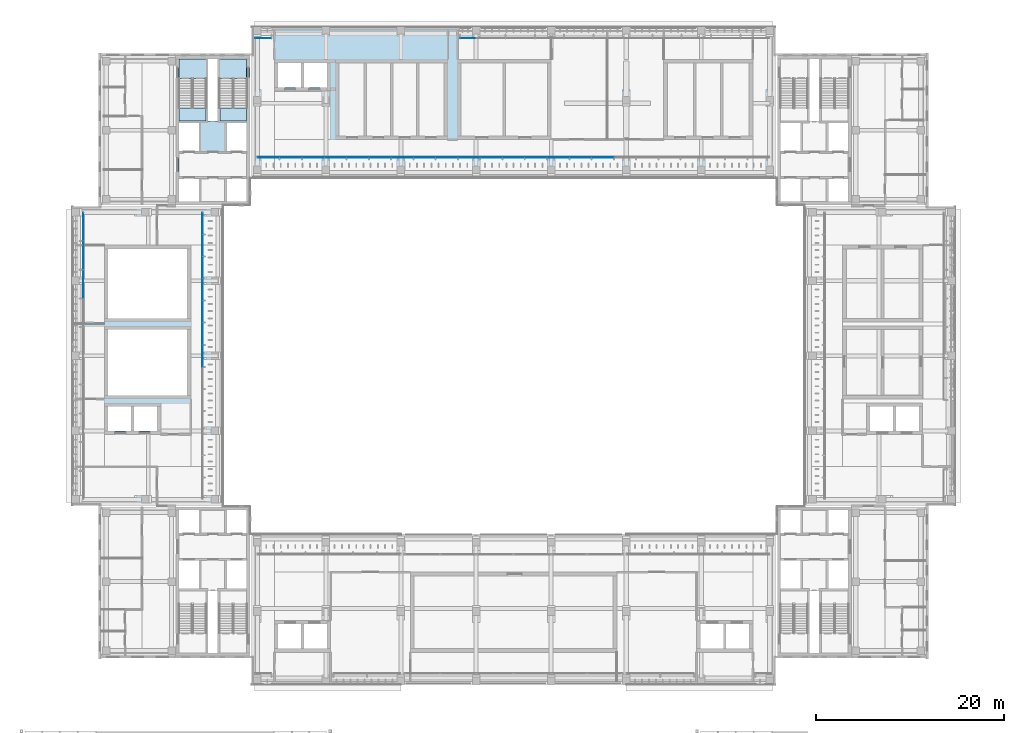
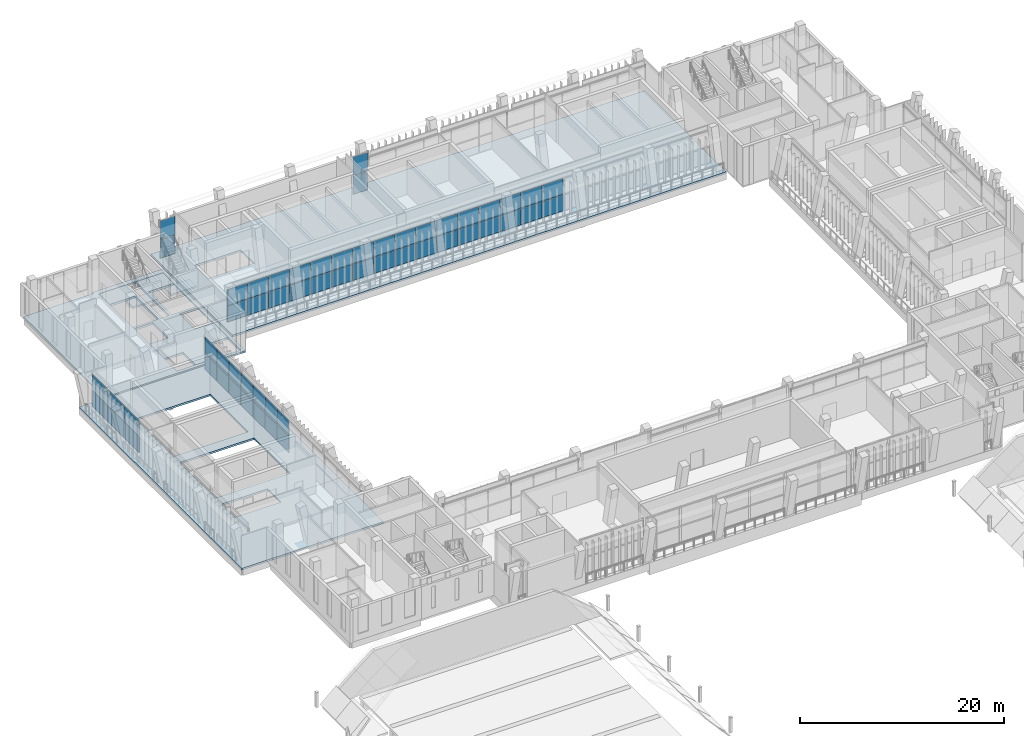
# One storey, part 52 of 89: 56 plates, 6 slabs, 7 elements without a shape of their own.
"""IFC4 building model written with IfcOpenShell, lengths in metres."""

from ifc_helpers import new_model, si_unit, direction, frame, origin, origin_2d, place, context, subcontext, project, spatial, polyline, rectangle, outline, extrude, material, layer, layer_set, type_object, element, aggregate, save


model = new_model("IFC4")

# Units and contexts
model_context = context("Model", 3, precision=1e-05, world=origin(), true_north=direction((0.0, 1.0)))
body_context = subcontext(model_context, "Body", "Model", "MODEL_VIEW")
ifc_project = project(units=[si_unit("LENGTHUNIT", "METRE"), si_unit("AREAUNIT", "SQUARE_METRE"), si_unit("VOLUMEUNIT", "CUBIC_METRE"), si_unit("PLANEANGLEUNIT", "RADIAN"), si_unit("MASSUNIT", "GRAM", prefix="KILO")], contexts=[model_context])

# Site, building, storey
site_placement = place(None, origin())
site = spatial("IfcSite", under=ifc_project, at=site_placement, CompositionType="ELEMENT")
building_placement = place(site_placement, origin())
building = spatial("IfcBuilding", under=site, at=building_placement, Name="Lantern Court Media Centre", CompositionType="ELEMENT")
storey_placement = place(building_placement, frame((0.0, 0.0, 14.39990234375)))
storey = spatial("IfcBuildingStorey", under=building, at=storey_placement, Name="L03", CompositionType="ELEMENT", Elevation=14.39990234375)

# Slab
ifc_material_1 = material(Name="Concrete C40", Category="concrete")
ifc_layer_1 = layer(ifc_material_1, 0.25)
ifc_layer_set_1 = layer_set([ifc_layer_1], Name="Concrete C40")
slab_type_1 = type_object("IfcSlabType", Name="Core floor slab 250", PredefinedType="FLOOR", material=ifc_layer_set_1)
slab_1_placement = place(storey_placement, frame((0.0, 0.0, -0.25)))
element("IfcSlab", 1, at=slab_1_placement, inside=storey, type_object=slab_type_1, Name="L03 NW core floor", PredefinedType="FLOOR", context=body_context, shape_type="SweptSolid", body=[
    extrude(outline(polyline([(16.35009765625, 104.800048828125), (16.35009765625, 105.05029296875), (19.19970703125, 105.05029296875), (19.19970703125, 109.549560546875), (16.35009765625, 109.549560546875), (16.35009765625, 111.64990234375), (19.449951171875, 111.64990234375), (19.449951171875, 105.050048828125), (20.449951171875, 105.050048828125), (20.449951171875, 111.64990234375), (23.550048828125, 111.64990234375), (23.550048828125, 109.549560546875), (20.700439453125, 109.549560546875), (20.700439453125, 105.05029296875), (23.550048828125, 105.05029296875), (23.550048828125, 104.800048828125), (21.449951171875, 104.800048828125), (21.449951171875, 101.800048828125), (23.550048828125, 101.800048828125), (23.550048828125, 98.89990234375), (21.449951171875, 98.89990234375), (21.449951171875, 96.449951171875), (18.449951171875, 96.449951171875), (18.449951171875, 98.89990234375), (16.35009765625, 98.89990234375), (16.35009765625, 101.800048828125), (18.449951171875, 101.800048828125), (18.449951171875, 104.800048828125), (16.35009765625, 104.800048828125)])), origin(), (0.0, 0.0, 1.0), 0.25),
])

# Curtain wall, plates
ifc_material_2 = material(Name="Curtain wall bay 2400")
curtain_wall_type_1 = type_object("IfcCurtainWallType", Name="Curtain wall bay 2400", PredefinedType="NOTDEFINED", material=ifc_material_2)
curtain_wall_1_placement = place(storey_placement, origin())
curtain_wall_1 = element("IfcCurtainWall", 2, at=curtain_wall_1_placement, inside=storey, type_object=curtain_wall_type_1, Name="Curtain wall N inner L03", PredefinedType="NOTDEFINED")
ifc_material_3 = material(Name="Low-iron double glazed unit glass", Category="glass")
ifc_layer_2 = layer(ifc_material_3, 0.02392578125)
ifc_layer_set_2 = layer_set([ifc_layer_2], Name="Low-iron double glazed unit glass")
plate_type_1 = type_object("IfcPlateType", Name="Curtain wall glazing unit 24", PredefinedType="CURTAIN_PANEL", material=ifc_layer_set_2)
plate_1_placement = place(storey_placement, frame((25.8994140625, 101.14990234375, 0.050048828125), z_axis=(0.0, 0.0, 1.0), x_axis=(1.0, 0.0, 0.0)))
plate_1 = element("IfcPlate", 3, at=plate_1_placement, type_object=plate_type_1, Name="CW2 panel 1.1", PredefinedType="CURTAIN_PANEL", context=body_context, shape_type="SweptSolid", body=[
    extrude(rectangle(XDim=2.298828125, YDim=0.02392578125, at=origin_2d()), origin(), (0.0, 0.0, 1.0), 1.89990234375),
])
plate_2_placement = place(storey_placement, frame((25.8994140625, 101.14990234375, 2.000244140625), z_axis=(0.0, 0.0, 1.0), x_axis=(1.0, 0.0, 0.0)))
plate_2 = element("IfcPlate", 4, at=plate_2_placement, type_object=plate_type_1, Name="CW2 panel 1.2", PredefinedType="CURTAIN_PANEL", context=body_context, shape_type="SweptSolid", body=[
    extrude(rectangle(XDim=2.298828125, YDim=0.02392578125, at=origin_2d()), origin(), (0.0, 0.0, 1.0), 1.89990234375),
])
plate_3_placement = place(storey_placement, frame((28.260986328125, 101.14990234375, 0.050048828125), z_axis=(0.0, 0.0, 1.0), x_axis=(1.0, 0.0, 0.0)))
plate_3 = element("IfcPlate", 5, at=plate_3_placement, type_object=plate_type_1, Name="CW2 panel 2.1", PredefinedType="CURTAIN_PANEL", context=body_context, shape_type="SweptSolid", body=[
    extrude(rectangle(XDim=2.323974609375, YDim=0.02392578125, at=origin_2d()), origin(), (0.0, 0.0, 1.0), 1.89990234375),
])
plate_4_placement = place(storey_placement, frame((28.260986328125, 101.14990234375, 2.000244140625), z_axis=(0.0, 0.0, 1.0), x_axis=(1.0, 0.0, 0.0)))
plate_4 = element("IfcPlate", 6, at=plate_4_placement, type_object=plate_type_1, Name="CW2 panel 2.2", PredefinedType="CURTAIN_PANEL", context=body_context, shape_type="SweptSolid", body=[
    extrude(rectangle(XDim=2.323974609375, YDim=0.02392578125, at=origin_2d()), origin(), (0.0, 0.0, 1.0), 1.89990234375),
])
plate_5_placement = place(storey_placement, frame((30.634765625, 101.14990234375, 0.050048828125), z_axis=(0.0, 0.0, 1.0), x_axis=(1.0, 0.0, 0.0)))
plate_5 = element("IfcPlate", 7, at=plate_5_placement, type_object=plate_type_1, Name="CW2 panel 3.1", PredefinedType="CURTAIN_PANEL", context=body_context, shape_type="SweptSolid", body=[
    extrude(rectangle(XDim=2.323974609375, YDim=0.02392578125, at=origin_2d()), origin(), (0.0, 0.0, 1.0), 1.89990234375),
])
plate_6_placement = place(storey_placement, frame((30.634765625, 101.14990234375, 2.000244140625), z_axis=(0.0, 0.0, 1.0), x_axis=(1.0, 0.0, 0.0)))
plate_6 = element("IfcPlate", 8, at=plate_6_placement, type_object=plate_type_1, Name="CW2 panel 3.2", PredefinedType="CURTAIN_PANEL", context=body_context, shape_type="SweptSolid", body=[
    extrude(rectangle(XDim=2.323974609375, YDim=0.02392578125, at=origin_2d()), origin(), (0.0, 0.0, 1.0), 1.89990234375),
])
plate_7_placement = place(storey_placement, frame((33.0087890625, 101.14990234375, 0.050048828125), z_axis=(0.0, 0.0, 1.0), x_axis=(1.0, 0.0, 0.0)))
plate_7 = element("IfcPlate", 9, at=plate_7_placement, type_object=plate_type_1, Name="CW2 panel 4.1", PredefinedType="CURTAIN_PANEL", context=body_context, shape_type="SweptSolid", body=[
    extrude(rectangle(XDim=2.323974609375, YDim=0.02392578125, at=origin_2d()), origin(), (0.0, 0.0, 1.0), 1.89990234375),
])
plate_8_placement = place(storey_placement, frame((33.0087890625, 101.14990234375, 2.000244140625), z_axis=(0.0, 0.0, 1.0), x_axis=(1.0, 0.0, 0.0)))
plate_8 = element("IfcPlate", 10, at=plate_8_placement, type_object=plate_type_1, Name="CW2 panel 4.2", PredefinedType="CURTAIN_PANEL", context=body_context, shape_type="SweptSolid", body=[
    extrude(rectangle(XDim=2.323974609375, YDim=0.02392578125, at=origin_2d()), origin(), (0.0, 0.0, 1.0), 1.89990234375),
])
plate_9_placement = place(storey_placement, frame((35.382568359375, 101.14990234375, 0.050048828125), z_axis=(0.0, 0.0, 1.0), x_axis=(1.0, 0.0, 0.0)))
plate_9 = element("IfcPlate", 11, at=plate_9_placement, type_object=plate_type_1, Name="CW2 panel 5.1", PredefinedType="CURTAIN_PANEL", context=body_context, shape_type="SweptSolid", body=[
    extrude(rectangle(XDim=2.323974609375, YDim=0.02392578125, at=origin_2d()), origin(), (0.0, 0.0, 1.0), 1.89990234375),
])
plate_10_placement = place(storey_placement, frame((35.382568359375, 101.14990234375, 2.000244140625), z_axis=(0.0, 0.0, 1.0), x_axis=(1.0, 0.0, 0.0)))
plate_10 = element("IfcPlate", 12, at=plate_10_placement, type_object=plate_type_1, Name="CW2 panel 5.2", PredefinedType="CURTAIN_PANEL", context=body_context, shape_type="SweptSolid", body=[
    extrude(rectangle(XDim=2.323974609375, YDim=0.02392578125, at=origin_2d()), origin(), (0.0, 0.0, 1.0), 1.89990234375),
])
plate_11_placement = place(storey_placement, frame((37.756591796875, 101.14990234375, 0.050048828125), z_axis=(0.0, 0.0, 1.0), x_axis=(1.0, 0.0, 0.0)))
plate_11 = element("IfcPlate", 13, at=plate_11_placement, type_object=plate_type_1, Name="CW2 panel 6.1", PredefinedType="CURTAIN_PANEL", context=body_context, shape_type="SweptSolid", body=[
    extrude(rectangle(XDim=2.323974609375, YDim=0.02392578125, at=origin_2d()), origin(), (0.0, 0.0, 1.0), 1.89990234375),
])
plate_12_placement = place(storey_placement, frame((37.756591796875, 101.14990234375, 2.000244140625), z_axis=(0.0, 0.0, 1.0), x_axis=(1.0, 0.0, 0.0)))
plate_12 = element("IfcPlate", 14, at=plate_12_placement, type_object=plate_type_1, Name="CW2 panel 6.2", PredefinedType="CURTAIN_PANEL", context=body_context, shape_type="SweptSolid", body=[
    extrude(rectangle(XDim=2.323974609375, YDim=0.02392578125, at=origin_2d()), origin(), (0.0, 0.0, 1.0), 1.89990234375),
])
plate_13_placement = place(storey_placement, frame((40.13037109375, 101.14990234375, 0.050048828125), z_axis=(0.0, 0.0, 1.0), x_axis=(1.0, 0.0, 0.0)))
plate_13 = element("IfcPlate", 15, at=plate_13_placement, type_object=plate_type_1, Name="CW2 panel 7.1", PredefinedType="CURTAIN_PANEL", context=body_context, shape_type="SweptSolid", body=[
    extrude(rectangle(XDim=2.323974609375, YDim=0.02392578125, at=origin_2d()), origin(), (0.0, 0.0, 1.0), 1.89990234375),
])
plate_14_placement = place(storey_placement, frame((40.13037109375, 101.14990234375, 2.000244140625), z_axis=(0.0, 0.0, 1.0), x_axis=(1.0, 0.0, 0.0)))
plate_14 = element("IfcPlate", 16, at=plate_14_placement, type_object=plate_type_1, Name="CW2 panel 7.2", PredefinedType="CURTAIN_PANEL", context=body_context, shape_type="SweptSolid", body=[
    extrude(rectangle(XDim=2.323974609375, YDim=0.02392578125, at=origin_2d()), origin(), (0.0, 0.0, 1.0), 1.89990234375),
])
plate_15_placement = place(storey_placement, frame((42.50439453125, 101.14990234375, 0.050048828125), z_axis=(0.0, 0.0, 1.0), x_axis=(1.0, 0.0, 0.0)))
plate_15 = element("IfcPlate", 17, at=plate_15_placement, type_object=plate_type_1, Name="CW2 panel 8.1", PredefinedType="CURTAIN_PANEL", context=body_context, shape_type="SweptSolid", body=[
    extrude(rectangle(XDim=2.323974609375, YDim=0.02392578125, at=origin_2d()), origin(), (0.0, 0.0, 1.0), 1.89990234375),
])
plate_16_placement = place(storey_placement, frame((42.50439453125, 101.14990234375, 2.000244140625), z_axis=(0.0, 0.0, 1.0), x_axis=(1.0, 0.0, 0.0)))
plate_16 = element("IfcPlate", 18, at=plate_16_placement, type_object=plate_type_1, Name="CW2 panel 8.2", PredefinedType="CURTAIN_PANEL", context=body_context, shape_type="SweptSolid", body=[
    extrude(rectangle(XDim=2.323974609375, YDim=0.02392578125, at=origin_2d()), origin(), (0.0, 0.0, 1.0), 1.89990234375),
])
plate_17_placement = place(storey_placement, frame((44.878173828125, 101.14990234375, 0.050048828125), z_axis=(0.0, 0.0, 1.0), x_axis=(1.0, 0.0, 0.0)))
plate_17 = element("IfcPlate", 19, at=plate_17_placement, type_object=plate_type_1, Name="CW2 panel 9.1", PredefinedType="CURTAIN_PANEL", context=body_context, shape_type="SweptSolid", body=[
    extrude(rectangle(XDim=2.323974609375, YDim=0.02392578125, at=origin_2d()), origin(), (0.0, 0.0, 1.0), 1.89990234375),
])
plate_18_placement = place(storey_placement, frame((44.878173828125, 101.14990234375, 2.000244140625), z_axis=(0.0, 0.0, 1.0), x_axis=(1.0, 0.0, 0.0)))
plate_18 = element("IfcPlate", 20, at=plate_18_placement, type_object=plate_type_1, Name="CW2 panel 9.2", PredefinedType="CURTAIN_PANEL", context=body_context, shape_type="SweptSolid", body=[
    extrude(rectangle(XDim=2.323974609375, YDim=0.02392578125, at=origin_2d()), origin(), (0.0, 0.0, 1.0), 1.89990234375),
])
plate_19_placement = place(storey_placement, frame((47.252197265625, 101.14990234375, 0.050048828125), z_axis=(0.0, 0.0, 1.0), x_axis=(1.0, 0.0, 0.0)))
plate_19 = element("IfcPlate", 21, at=plate_19_placement, type_object=plate_type_1, Name="CW2 panel 10.1", PredefinedType="CURTAIN_PANEL", context=body_context, shape_type="SweptSolid", body=[
    extrude(rectangle(XDim=2.323974609375, YDim=0.02392578125, at=origin_2d()), origin(), (0.0, 0.0, 1.0), 1.89990234375),
])
plate_20_placement = place(storey_placement, frame((47.252197265625, 101.14990234375, 2.000244140625), z_axis=(0.0, 0.0, 1.0), x_axis=(1.0, 0.0, 0.0)))
plate_20 = element("IfcPlate", 22, at=plate_20_placement, type_object=plate_type_1, Name="CW2 panel 10.2", PredefinedType="CURTAIN_PANEL", context=body_context, shape_type="SweptSolid", body=[
    extrude(rectangle(XDim=2.323974609375, YDim=0.02392578125, at=origin_2d()), origin(), (0.0, 0.0, 1.0), 1.89990234375),
])
plate_21_placement = place(storey_placement, frame((49.6259765625, 101.14990234375, 0.050048828125), z_axis=(0.0, 0.0, 1.0), x_axis=(1.0, 0.0, 0.0)))
plate_21 = element("IfcPlate", 23, at=plate_21_placement, type_object=plate_type_1, Name="CW2 panel 11.1", PredefinedType="CURTAIN_PANEL", context=body_context, shape_type="SweptSolid", body=[
    extrude(rectangle(XDim=2.323974609375, YDim=0.02392578125, at=origin_2d()), origin(), (0.0, 0.0, 1.0), 1.89990234375),
])
plate_22_placement = place(storey_placement, frame((49.6259765625, 101.14990234375, 2.000244140625), z_axis=(0.0, 0.0, 1.0), x_axis=(1.0, 0.0, 0.0)))
plate_22 = element("IfcPlate", 24, at=plate_22_placement, type_object=plate_type_1, Name="CW2 panel 11.2", PredefinedType="CURTAIN_PANEL", context=body_context, shape_type="SweptSolid", body=[
    extrude(rectangle(XDim=2.323974609375, YDim=0.02392578125, at=origin_2d()), origin(), (0.0, 0.0, 1.0), 1.89990234375),
])
plate_23_placement = place(storey_placement, frame((52.0, 101.14990234375, 0.050048828125), z_axis=(0.0, 0.0, 1.0), x_axis=(1.0, 0.0, 0.0)))
plate_23 = element("IfcPlate", 25, at=plate_23_placement, type_object=plate_type_1, Name="CW2 panel 12.1", PredefinedType="CURTAIN_PANEL", context=body_context, shape_type="SweptSolid", body=[
    extrude(rectangle(XDim=2.323974609375, YDim=0.02392578125, at=origin_2d()), origin(), (0.0, 0.0, 1.0), 1.89990234375),
])
plate_24_placement = place(storey_placement, frame((52.0, 101.14990234375, 2.000244140625), z_axis=(0.0, 0.0, 1.0), x_axis=(1.0, 0.0, 0.0)))
plate_24 = element("IfcPlate", 26, at=plate_24_placement, type_object=plate_type_1, Name="CW2 panel 12.2", PredefinedType="CURTAIN_PANEL", context=body_context, shape_type="SweptSolid", body=[
    extrude(rectangle(XDim=2.323974609375, YDim=0.02392578125, at=origin_2d()), origin(), (0.0, 0.0, 1.0), 1.89990234375),
])
plate_25_placement = place(storey_placement, frame((54.3740234375, 101.14990234375, 0.050048828125), z_axis=(0.0, 0.0, 1.0), x_axis=(1.0, 0.0, 0.0)))
plate_25 = element("IfcPlate", 27, at=plate_25_placement, type_object=plate_type_1, Name="CW2 panel 13.1", PredefinedType="CURTAIN_PANEL", context=body_context, shape_type="SweptSolid", body=[
    extrude(rectangle(XDim=2.323974609375, YDim=0.02392578125, at=origin_2d()), origin(), (0.0, 0.0, 1.0), 1.89990234375),
])
plate_26_placement = place(storey_placement, frame((54.3740234375, 101.14990234375, 2.000244140625), z_axis=(0.0, 0.0, 1.0), x_axis=(1.0, 0.0, 0.0)))
plate_26 = element("IfcPlate", 28, at=plate_26_placement, type_object=plate_type_1, Name="CW2 panel 13.2", PredefinedType="CURTAIN_PANEL", context=body_context, shape_type="SweptSolid", body=[
    extrude(rectangle(XDim=2.323974609375, YDim=0.02392578125, at=origin_2d()), origin(), (0.0, 0.0, 1.0), 1.89990234375),
])
plate_27_placement = place(storey_placement, frame((56.747802734375, 101.14990234375, 0.050048828125), z_axis=(0.0, 0.0, 1.0), x_axis=(1.0, 0.0, 0.0)))
plate_27 = element("IfcPlate", 29, at=plate_27_placement, type_object=plate_type_1, Name="CW2 panel 14.1", PredefinedType="CURTAIN_PANEL", context=body_context, shape_type="SweptSolid", body=[
    extrude(rectangle(XDim=2.323974609375, YDim=0.02392578125, at=origin_2d()), origin(), (0.0, 0.0, 1.0), 1.89990234375),
])
plate_28_placement = place(storey_placement, frame((56.747802734375, 101.14990234375, 2.000244140625), z_axis=(0.0, 0.0, 1.0), x_axis=(1.0, 0.0, 0.0)))
plate_28 = element("IfcPlate", 30, at=plate_28_placement, type_object=plate_type_1, Name="CW2 panel 14.2", PredefinedType="CURTAIN_PANEL", context=body_context, shape_type="SweptSolid", body=[
    extrude(rectangle(XDim=2.323974609375, YDim=0.02392578125, at=origin_2d()), origin(), (0.0, 0.0, 1.0), 1.89990234375),
])
plate_29_placement = place(storey_placement, frame((59.121826171875, 101.14990234375, 0.050048828125), z_axis=(0.0, 0.0, 1.0), x_axis=(1.0, 0.0, 0.0)))
plate_29 = element("IfcPlate", 31, at=plate_29_placement, type_object=plate_type_1, Name="CW2 panel 15.1", PredefinedType="CURTAIN_PANEL", context=body_context, shape_type="SweptSolid", body=[
    extrude(rectangle(XDim=2.323974609375, YDim=0.02392578125, at=origin_2d()), origin(), (0.0, 0.0, 1.0), 1.89990234375),
])
plate_30_placement = place(storey_placement, frame((59.121826171875, 101.14990234375, 2.000244140625), z_axis=(0.0, 0.0, 1.0), x_axis=(1.0, 0.0, 0.0)))
plate_30 = element("IfcPlate", 32, at=plate_30_placement, type_object=plate_type_1, Name="CW2 panel 15.2", PredefinedType="CURTAIN_PANEL", context=body_context, shape_type="SweptSolid", body=[
    extrude(rectangle(XDim=2.323974609375, YDim=0.02392578125, at=origin_2d()), origin(), (0.0, 0.0, 1.0), 1.89990234375),
])
plate_31_placement = place(storey_placement, frame((61.49560546875, 101.14990234375, 0.050048828125), z_axis=(0.0, 0.0, 1.0), x_axis=(1.0, 0.0, 0.0)))
plate_31 = element("IfcPlate", 33, at=plate_31_placement, type_object=plate_type_1, Name="CW2 panel 16.1", PredefinedType="CURTAIN_PANEL", context=body_context, shape_type="SweptSolid", body=[
    extrude(rectangle(XDim=2.323974609375, YDim=0.02392578125, at=origin_2d()), origin(), (0.0, 0.0, 1.0), 1.89990234375),
])
plate_32_placement = place(storey_placement, frame((61.49560546875, 101.14990234375, 2.000244140625), z_axis=(0.0, 0.0, 1.0), x_axis=(1.0, 0.0, 0.0)))
plate_32 = element("IfcPlate", 34, at=plate_32_placement, type_object=plate_type_1, Name="CW2 panel 16.2", PredefinedType="CURTAIN_PANEL", context=body_context, shape_type="SweptSolid", body=[
    extrude(rectangle(XDim=2.323974609375, YDim=0.02392578125, at=origin_2d()), origin(), (0.0, 0.0, 1.0), 1.89990234375),
])
aggregate(curtain_wall_1, [plate_1, plate_2, plate_3, plate_4, plate_5, plate_6, plate_7, plate_8, plate_9, plate_10, plate_11, plate_12, plate_13, plate_14, plate_15, plate_16, plate_17, plate_18, plate_19, plate_20, plate_21, plate_22, plate_23, plate_24, plate_25, plate_26, plate_27, plate_28, plate_29, plate_30, plate_31, plate_32])

curtain_wall_2_placement = place(storey_placement, origin())
curtain_wall_2 = element("IfcCurtainWall", 35, at=curtain_wall_2_placement, inside=storey, type_object=curtain_wall_type_1, Name="Curtain wall W inner L03", PredefinedType="NOTDEFINED")
plate_33_placement = place(storey_placement, frame((18.85009765625, 80.0, 0.050048828125), z_axis=(0.0, 0.0, 1.0), x_axis=(0.0, 1.0, 0.0)))
plate_33 = element("IfcPlate", 36, at=plate_33_placement, type_object=plate_type_1, Name="CW2 panel 7.1", PredefinedType="CURTAIN_PANEL", context=body_context, shape_type="SweptSolid", body=[
    extrude(rectangle(XDim=2.303955078125, YDim=0.02392578125, at=origin_2d()), origin(), (0.0, 0.0, 1.0), 1.89990234375),
])
plate_34_placement = place(storey_placement, frame((18.85009765625, 80.0, 2.000244140625), z_axis=(0.0, 0.0, 1.0), x_axis=(0.0, 1.0, 0.0)))
plate_34 = element("IfcPlate", 37, at=plate_34_placement, type_object=plate_type_1, Name="CW2 panel 7.2", PredefinedType="CURTAIN_PANEL", context=body_context, shape_type="SweptSolid", body=[
    extrude(rectangle(XDim=2.303955078125, YDim=0.02392578125, at=origin_2d()), origin(), (0.0, 0.0, 1.0), 1.89990234375),
])
plate_35_placement = place(storey_placement, frame((18.85009765625, 82.353759765625, 0.050048828125), z_axis=(0.0, 0.0, 1.0), x_axis=(0.0, 1.0, 0.0)))
plate_35 = element("IfcPlate", 38, at=plate_35_placement, type_object=plate_type_1, Name="CW2 panel 8.1", PredefinedType="CURTAIN_PANEL", context=body_context, shape_type="SweptSolid", body=[
    extrude(rectangle(XDim=2.303955078125, YDim=0.02392578125, at=origin_2d()), origin(), (0.0, 0.0, 1.0), 1.89990234375),
])
plate_36_placement = place(storey_placement, frame((18.85009765625, 82.353759765625, 2.000244140625), z_axis=(0.0, 0.0, 1.0), x_axis=(0.0, 1.0, 0.0)))
plate_36 = element("IfcPlate", 39, at=plate_36_placement, type_object=plate_type_1, Name="CW2 panel 8.2", PredefinedType="CURTAIN_PANEL", context=body_context, shape_type="SweptSolid", body=[
    extrude(rectangle(XDim=2.303955078125, YDim=0.02392578125, at=origin_2d()), origin(), (0.0, 0.0, 1.0), 1.89990234375),
])
plate_37_placement = place(storey_placement, frame((18.85009765625, 84.707763671875, 0.050048828125), z_axis=(0.0, 0.0, 1.0), x_axis=(0.0, 1.0, 0.0)))
plate_37 = element("IfcPlate", 40, at=plate_37_placement, type_object=plate_type_1, Name="CW2 panel 9.1", PredefinedType="CURTAIN_PANEL", context=body_context, shape_type="SweptSolid", body=[
    extrude(rectangle(XDim=2.303955078125, YDim=0.02392578125, at=origin_2d()), origin(), (0.0, 0.0, 1.0), 1.89990234375),
])
plate_38_placement = place(storey_placement, frame((18.85009765625, 84.707763671875, 2.000244140625), z_axis=(0.0, 0.0, 1.0), x_axis=(0.0, 1.0, 0.0)))
plate_38 = element("IfcPlate", 41, at=plate_38_placement, type_object=plate_type_1, Name="CW2 panel 9.2", PredefinedType="CURTAIN_PANEL", context=body_context, shape_type="SweptSolid", body=[
    extrude(rectangle(XDim=2.303955078125, YDim=0.02392578125, at=origin_2d()), origin(), (0.0, 0.0, 1.0), 1.89990234375),
])
plate_39_placement = place(storey_placement, frame((18.85009765625, 87.0615234375, 0.050048828125), z_axis=(0.0, 0.0, 1.0), x_axis=(0.0, 1.0, 0.0)))
plate_39 = element("IfcPlate", 42, at=plate_39_placement, type_object=plate_type_1, Name="CW2 panel 10.1", PredefinedType="CURTAIN_PANEL", context=body_context, shape_type="SweptSolid", body=[
    extrude(rectangle(XDim=2.303955078125, YDim=0.02392578125, at=origin_2d()), origin(), (0.0, 0.0, 1.0), 1.89990234375),
])
plate_40_placement = place(storey_placement, frame((18.85009765625, 87.0615234375, 2.000244140625), z_axis=(0.0, 0.0, 1.0), x_axis=(0.0, 1.0, 0.0)))
plate_40 = element("IfcPlate", 43, at=plate_40_placement, type_object=plate_type_1, Name="CW2 panel 10.2", PredefinedType="CURTAIN_PANEL", context=body_context, shape_type="SweptSolid", body=[
    extrude(rectangle(XDim=2.303955078125, YDim=0.02392578125, at=origin_2d()), origin(), (0.0, 0.0, 1.0), 1.89990234375),
])
plate_41_placement = place(storey_placement, frame((18.85009765625, 89.415283203125, 0.050048828125), z_axis=(0.0, 0.0, 1.0), x_axis=(0.0, 1.0, 0.0)))
plate_41 = element("IfcPlate", 44, at=plate_41_placement, type_object=plate_type_1, Name="CW2 panel 11.1", PredefinedType="CURTAIN_PANEL", context=body_context, shape_type="SweptSolid", body=[
    extrude(rectangle(XDim=2.303955078125, YDim=0.02392578125, at=origin_2d()), origin(), (0.0, 0.0, 1.0), 1.89990234375),
])
plate_42_placement = place(storey_placement, frame((18.85009765625, 89.415283203125, 2.000244140625), z_axis=(0.0, 0.0, 1.0), x_axis=(0.0, 1.0, 0.0)))
plate_42 = element("IfcPlate", 45, at=plate_42_placement, type_object=plate_type_1, Name="CW2 panel 11.2", PredefinedType="CURTAIN_PANEL", context=body_context, shape_type="SweptSolid", body=[
    extrude(rectangle(XDim=2.303955078125, YDim=0.02392578125, at=origin_2d()), origin(), (0.0, 0.0, 1.0), 1.89990234375),
])
plate_43_placement = place(storey_placement, frame((18.85009765625, 91.769287109375, 0.050048828125), z_axis=(0.0, 0.0, 1.0), x_axis=(0.0, 1.0, 0.0)))
plate_43 = element("IfcPlate", 46, at=plate_43_placement, type_object=plate_type_1, Name="CW2 panel 12.1", PredefinedType="CURTAIN_PANEL", context=body_context, shape_type="SweptSolid", body=[
    extrude(rectangle(XDim=2.303955078125, YDim=0.02392578125, at=origin_2d()), origin(), (0.0, 0.0, 1.0), 1.89990234375),
])
plate_44_placement = place(storey_placement, frame((18.85009765625, 91.769287109375, 2.000244140625), z_axis=(0.0, 0.0, 1.0), x_axis=(0.0, 1.0, 0.0)))
plate_44 = element("IfcPlate", 47, at=plate_44_placement, type_object=plate_type_1, Name="CW2 panel 12.2", PredefinedType="CURTAIN_PANEL", context=body_context, shape_type="SweptSolid", body=[
    extrude(rectangle(XDim=2.303955078125, YDim=0.02392578125, at=origin_2d()), origin(), (0.0, 0.0, 1.0), 1.89990234375),
])
plate_45_placement = place(storey_placement, frame((18.85009765625, 94.110595703125, 0.050048828125), z_axis=(0.0, 0.0, 1.0), x_axis=(0.0, 1.0, 0.0)))
plate_45 = element("IfcPlate", 48, at=plate_45_placement, type_object=plate_type_1, Name="CW2 panel 13.1", PredefinedType="CURTAIN_PANEL", context=body_context, shape_type="SweptSolid", body=[
    extrude(rectangle(XDim=2.27880859375, YDim=0.02392578125, at=origin_2d()), origin(), (0.0, 0.0, 1.0), 1.89990234375),
])
plate_46_placement = place(storey_placement, frame((18.85009765625, 94.110595703125, 2.000244140625), z_axis=(0.0, 0.0, 1.0), x_axis=(0.0, 1.0, 0.0)))
plate_46 = element("IfcPlate", 49, at=plate_46_placement, type_object=plate_type_1, Name="CW2 panel 13.2", PredefinedType="CURTAIN_PANEL", context=body_context, shape_type="SweptSolid", body=[
    extrude(rectangle(XDim=2.27880859375, YDim=0.02392578125, at=origin_2d()), origin(), (0.0, 0.0, 1.0), 1.89990234375),
])
aggregate(curtain_wall_2, [plate_33, plate_34, plate_35, plate_36, plate_37, plate_38, plate_39, plate_40, plate_41, plate_42, plate_43, plate_44, plate_45, plate_46])

ifc_material_4 = material(Name="Curtain wall bay 3000")
curtain_wall_type_2 = type_object("IfcCurtainWallType", Name="Curtain wall bay 3000", PredefinedType="NOTDEFINED", material=ifc_material_4)
curtain_wall_3_placement = place(storey_placement, origin())
curtain_wall_3 = element("IfcCurtainWall", 50, at=curtain_wall_3_placement, inside=storey, type_object=curtain_wall_type_2, Name="Curtain wall N outer L03", PredefinedType="NOTDEFINED")
ifc_layer_3 = layer(ifc_material_3, 0.028076171875)
ifc_layer_set_3 = layer_set([ifc_layer_3], Name="Low-iron double glazed unit glass")
plate_type_2 = type_object("IfcPlateType", Name="Curtain wall glazing unit 28", PredefinedType="CURTAIN_PANEL", material=ifc_layer_set_3)
plate_47_placement = place(storey_placement, frame((25.3349609375, 113.85009765625, 0.06005859375), z_axis=(0.0, 0.0, 1.0), x_axis=(1.0, 0.0, 0.0)))
plate_47 = element("IfcPlate", 51, at=plate_47_placement, type_object=plate_type_2, Name="CW1 panel 1.1", PredefinedType="CURTAIN_PANEL", context=body_context, shape_type="SweptSolid", body=[
    extrude(rectangle(XDim=1.7099609375, YDim=0.028076171875, at=origin_2d()), origin(), (0.0, 0.0, 1.0), 2.199951171875),
])
plate_48_placement = place(storey_placement, frame((25.3349609375, 113.85009765625, 2.3203125), z_axis=(0.0, 0.0, 1.0), x_axis=(1.0, 0.0, 0.0)))
plate_48 = element("IfcPlate", 52, at=plate_48_placement, type_object=plate_type_2, Name="CW1 panel 1.2", PredefinedType="CURTAIN_PANEL", context=body_context, shape_type="SweptSolid", body=[
    extrude(rectangle(XDim=1.7099609375, YDim=0.028076171875, at=origin_2d()), origin(), (0.0, 0.0, 1.0), 2.199951171875),
])
aggregate(curtain_wall_3, [plate_47, plate_48])

curtain_wall_4_placement = place(storey_placement, origin())
curtain_wall_4 = element("IfcCurtainWall", 53, at=curtain_wall_4_placement, inside=storey, type_object=curtain_wall_type_2, Name="Curtain wall N outer L03", PredefinedType="NOTDEFINED")
plate_49_placement = place(storey_placement, frame((47.125, 113.85009765625, 0.06005859375), z_axis=(0.0, 0.0, 1.0), x_axis=(1.0, 0.0, 0.0)))
plate_49 = element("IfcPlate", 54, at=plate_49_placement, type_object=plate_type_2, Name="CW1 panel 1.1", PredefinedType="CURTAIN_PANEL", context=body_context, shape_type="SweptSolid", body=[
    extrude(rectangle(XDim=1.6298828125, YDim=0.028076171875, at=origin_2d()), origin(), (0.0, 0.0, 1.0), 2.199951171875),
])
plate_50_placement = place(storey_placement, frame((47.125, 113.85009765625, 2.3203125), z_axis=(0.0, 0.0, 1.0), x_axis=(1.0, 0.0, 0.0)))
plate_50 = element("IfcPlate", 55, at=plate_50_placement, type_object=plate_type_2, Name="CW1 panel 1.2", PredefinedType="CURTAIN_PANEL", context=body_context, shape_type="SweptSolid", body=[
    extrude(rectangle(XDim=1.6298828125, YDim=0.028076171875, at=origin_2d()), origin(), (0.0, 0.0, 1.0), 2.199951171875),
])
aggregate(curtain_wall_4, [plate_49, plate_50])

curtain_wall_5_placement = place(storey_placement, origin())
curtain_wall_5 = element("IfcCurtainWall", 56, at=curtain_wall_5_placement, inside=storey, type_object=curtain_wall_type_2, Name="Curtain wall W outer L03", PredefinedType="NOTDEFINED")
plate_51_placement = place(storey_placement, frame((6.14990234375, 87.64990234375, 0.06005859375), z_axis=(0.0, 0.0, 1.0), x_axis=(0.0, 1.0, 0.0)))
plate_51 = element("IfcPlate", 57, at=plate_51_placement, type_object=plate_type_2, Name="CW1 panel 8.1", PredefinedType="CURTAIN_PANEL", context=body_context, shape_type="SweptSolid", body=[
    extrude(rectangle(XDim=3.0, YDim=0.028076171875, at=origin_2d()), origin(), (0.0, 0.0, 1.0), 1.885009765625),
])
plate_52_placement = place(storey_placement, frame((6.14990234375, 87.64990234375, 2.0048828125), z_axis=(0.0, 0.0, 1.0), x_axis=(0.0, 1.0, 0.0)))
plate_52 = element("IfcPlate", 58, at=plate_52_placement, type_object=plate_type_2, Name="CW1 panel 8.2", PredefinedType="CURTAIN_PANEL", context=body_context, shape_type="SweptSolid", body=[
    extrude(rectangle(XDim=3.0, YDim=0.028076171875, at=origin_2d()), origin(), (0.0, 0.0, 1.0), 1.885009765625),
])
plate_53_placement = place(storey_placement, frame((6.14990234375, 90.7099609375, 0.06005859375), z_axis=(0.0, 0.0, 1.0), x_axis=(0.0, 1.0, 0.0)))
plate_53 = element("IfcPlate", 59, at=plate_53_placement, type_object=plate_type_2, Name="CW1 panel 9.1", PredefinedType="CURTAIN_PANEL", context=body_context, shape_type="SweptSolid", body=[
    extrude(rectangle(XDim=3.0, YDim=0.028076171875, at=origin_2d()), origin(), (0.0, 0.0, 1.0), 1.885009765625),
])
plate_54_placement = place(storey_placement, frame((6.14990234375, 90.7099609375, 2.0048828125), z_axis=(0.0, 0.0, 1.0), x_axis=(0.0, 1.0, 0.0)))
plate_54 = element("IfcPlate", 60, at=plate_54_placement, type_object=plate_type_2, Name="CW1 panel 9.2", PredefinedType="CURTAIN_PANEL", context=body_context, shape_type="SweptSolid", body=[
    extrude(rectangle(XDim=3.0, YDim=0.028076171875, at=origin_2d()), origin(), (0.0, 0.0, 1.0), 1.885009765625),
])
plate_55_placement = place(storey_placement, frame((6.14990234375, 93.7548828125, 0.06005859375), z_axis=(0.0, 0.0, 1.0), x_axis=(0.0, 1.0, 0.0)))
plate_55 = element("IfcPlate", 61, at=plate_55_placement, type_object=plate_type_2, Name="CW1 panel 10.1", PredefinedType="CURTAIN_PANEL", context=body_context, shape_type="SweptSolid", body=[
    extrude(rectangle(XDim=2.969970703125, YDim=0.028076171875, at=origin_2d()), origin(), (0.0, 0.0, 1.0), 1.885009765625),
])
plate_56_placement = place(storey_placement, frame((6.14990234375, 93.7548828125, 2.0048828125), z_axis=(0.0, 0.0, 1.0), x_axis=(0.0, 1.0, 0.0)))
plate_56 = element("IfcPlate", 62, at=plate_56_placement, type_object=plate_type_2, Name="CW1 panel 10.2", PredefinedType="CURTAIN_PANEL", context=body_context, shape_type="SweptSolid", body=[
    extrude(rectangle(XDim=2.969970703125, YDim=0.028076171875, at=origin_2d()), origin(), (0.0, 0.0, 1.0), 1.885009765625),
])
aggregate(curtain_wall_5, [plate_51, plate_52, plate_53, plate_54, plate_55, plate_56])

# Slabs
ifc_material_5 = material(Name="Concrete C35", Category="concrete")
ifc_layer_4 = layer(ifc_material_5, 0.199951171875)
ifc_layer_set_4 = layer_set([ifc_layer_4], Name="Concrete C35")
slab_type_2 = type_object("IfcSlabType", Name="RC FLOOR SLAB 200", PredefinedType="FLOOR", material=ifc_layer_set_4)
slab_2_placement = place(storey_placement, frame((0.0, 0.0, -0.199951171875)))
element("IfcSlab", 63, at=slab_2_placement, inside=storey, type_object=slab_type_2, Name="SL-NW-L03", PredefinedType="FLOOR", context=body_context, shape_type="SweptSolid", body=[
    extrude(outline(polyline([(8.0, 112.0), (15.89990234375, 112.0), (15.89990234375, 112.219970703125), (23.89990234375, 112.219970703125), (23.89990234375, 112.0), (23.89990234375, 96.10009765625), (8.0, 96.10009765625), (8.0, 112.0)]), holes=[polyline([(16.35009765625, 111.64990234375), (16.35009765625, 96.449951171875), (23.550048828125, 96.449951171875), (23.550048828125, 111.64990234375), (16.35009765625, 111.64990234375)])]), origin(), (0.0, 0.0, 1.0), 0.199951171875),
])
ifc_layer_5 = layer(ifc_material_5, 0.219970703125)
ifc_layer_set_5 = layer_set([ifc_layer_5], Name="Concrete C35")
slab_type_3 = type_object("IfcSlabType", Name="RC FLOOR SLAB 220", PredefinedType="FLOOR", material=ifc_layer_set_5)
slab_3_placement = place(storey_placement, frame((0.0, 0.0, -0.219970703125)))
element("IfcSlab", 64, at=slab_3_placement, inside=storey, type_object=slab_type_3, Name="SL-N-L03", PredefinedType="FLOOR", context=body_context, shape_type="SweptSolid", body=[
    extrude(outline(polyline([(24.10009765625, 99.0), (24.10009765625, 115.0), (79.89990234375, 115.0), (79.89990234375, 99.0), (24.10009765625, 99.0)]), holes=[polyline([(32.10009765625, 111.199951171875), (26.89990234375, 111.199951171875), (26.89990234375, 108.60009765625), (32.10009765625, 108.60009765625), (32.10009765625, 111.199951171875)])]), origin(), (0.0, 0.0, 1.0), 0.219970703125),
])
slab_4_placement = place(storey_placement, frame((0.0, 0.0, -0.219970703125)))
element("IfcSlab", 65, at=slab_4_placement, inside=storey, type_object=slab_type_3, Name="SL-W-L03", PredefinedType="FLOOR", context=body_context, shape_type="SweptSolid", body=[
    extrude(outline(polyline([(5.0, 64.10009765625), (5.0, 95.89990234375), (21.0, 95.89990234375), (21.0, 64.10009765625), (5.0, 64.10009765625)]), holes=[polyline([(14.0, 72.0), (14.0, 74.60009765625), (8.800048828125, 74.60009765625), (8.800048828125, 72.0), (14.0, 72.0)]), polyline([(8.800048828125, 75.800048828125), (17.199951171875, 75.800048828125), (17.199951171875, 82.800048828125), (8.800048828125, 82.800048828125), (8.800048828125, 75.800048828125)]), polyline([(8.800048828125, 84.0), (17.199951171875, 84.0), (17.199951171875, 91.39990234375), (8.800048828125, 91.39990234375), (8.800048828125, 84.0)])]), origin(), (0.0, 0.0, 1.0), 0.219970703125),
])

# Stair, slab
stair_type = type_object("IfcStairType", Name="Exit stair 1350", PredefinedType="HALF_TURN_STAIR", material=ifc_material_1)
stair_1_placement = place(storey_placement, origin())
stair_1 = element("IfcStair", 66, at=stair_1_placement, inside=storey, type_object=stair_type, Name="L03 NW exit stair A", PredefinedType="HALF_TURN_STAIR")
ifc_layer_6 = layer(ifc_material_1, 0.199951171875)
ifc_layer_set_6 = layer_set([ifc_layer_6], Name="Concrete C40")
slab_type_4 = type_object("IfcSlabType", Name="Stair landing RC 200", PredefinedType="LANDING", material=ifc_layer_set_6)
slab_5_placement = place(storey_placement, frame((0.0, 0.0, 2.2001953125)))
slab_5 = element("IfcSlab", 67, at=slab_5_placement, type_object=slab_type_4, Name="ST-NWA landing 1", PredefinedType="LANDING", context=body_context, shape_type="SweptSolid", body=[
    extrude(outline(polyline([(16.35009765625, 106.429931640625), (16.35009765625, 105.050048828125), (19.199951171875, 105.050048828125), (19.199951171875, 106.429931640625), (16.35009765625, 106.429931640625)])), origin(), (0.0, 0.0, 1.0), 0.199951171875),
])
aggregate(stair_1, [slab_5])

stair_2_placement = place(storey_placement, origin())
stair_2 = element("IfcStair", 68, at=stair_2_placement, inside=storey, type_object=stair_type, Name="L03 NW exit stair B", PredefinedType="HALF_TURN_STAIR")
slab_6_placement = place(storey_placement, frame((0.0, 0.0, 2.2001953125)))
slab_6 = element("IfcSlab", 69, at=slab_6_placement, type_object=slab_type_4, Name="ST-NWB landing 1", PredefinedType="LANDING", context=body_context, shape_type="SweptSolid", body=[
    extrude(outline(polyline([(20.699951171875, 106.429931640625), (20.699951171875, 105.050048828125), (23.550048828125, 105.050048828125), (23.550048828125, 106.429931640625), (20.699951171875, 106.429931640625)])), origin(), (0.0, 0.0, 1.0), 0.199951171875),
])
aggregate(stair_2, [slab_6])

save(model, "model.ifc")
